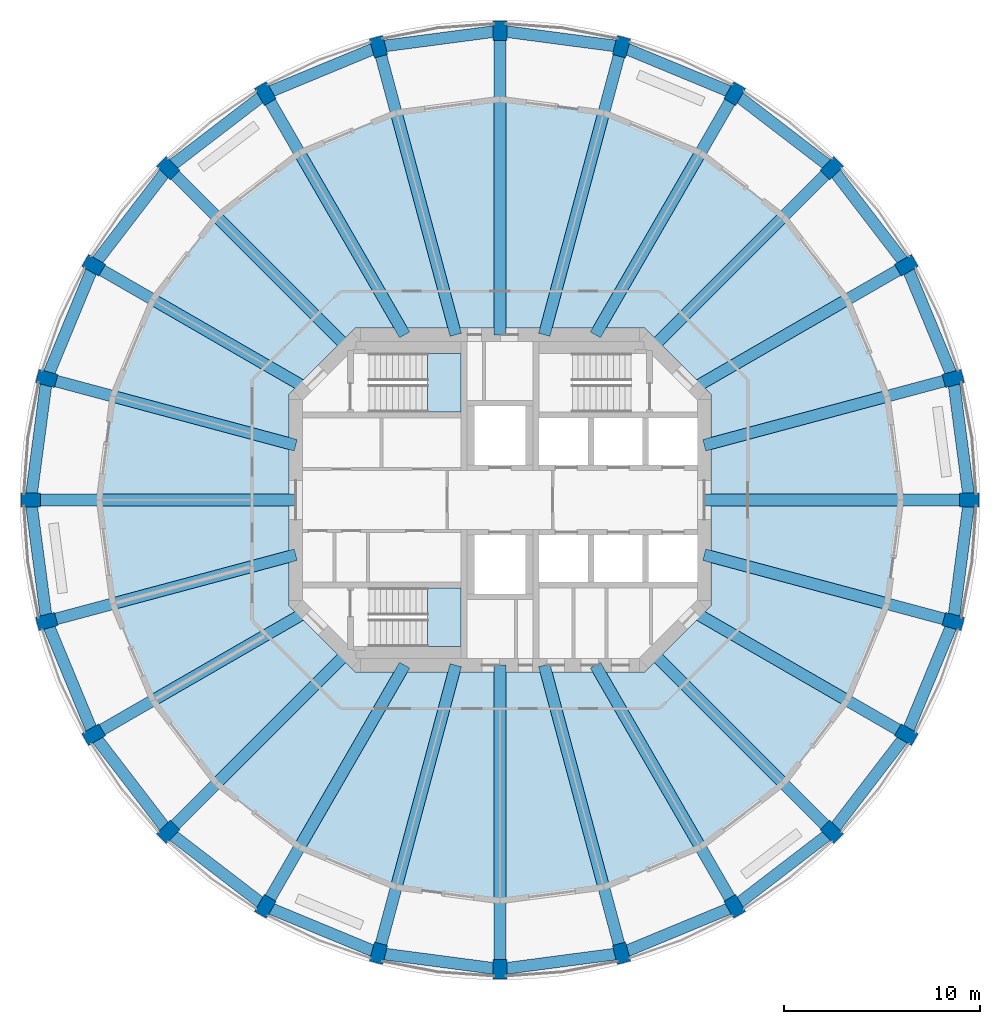
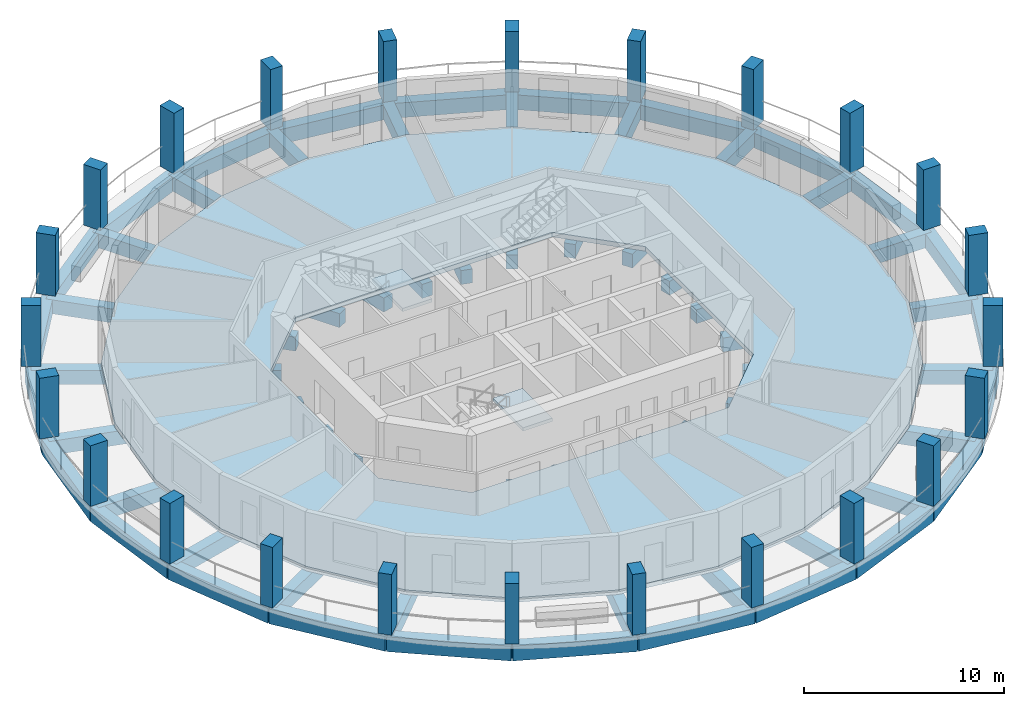
# One storey, part 1 of 9: 48 beams, 24 columns, 3 slabs, 2 elements without a shape of their own.
"""IFC4 building model written with IfcOpenShell, lengths in metres."""

import ifcopenshell
import ifcopenshell.guid

model = None  # the IFC model being written
_history = None  # IfcOwnerHistory: only IFC2X3 demands one
_inside = {}  # id of a spatial element -> (the spatial element, [elements in it])
_under = {}  # id of a project, library or spatial element -> (it, [spatial elements below it])
_declared = {}  # id of a project -> (the project, [libraries it declares])
_typed = {}  # id of a type object -> (the type object, [elements of that type])
_made_of = {}  # id of a material, layer set ... -> (it, [elements and type objects made of it])


def new_model(schema):
    """Start an empty IFC model of exactly this schema.

    Asked for "IFC4X3", IfcOpenShell would pick the latest addendum, in which some entities
    have other attributes; the version numbers below select the first issue.
    IFC2X3 requires an IfcOwnerHistory on every rooted entity: one is made here for all.
    """
    global model, _history
    if schema == "IFC4X3":
        model = ifcopenshell.file(schema_version=(4, 3, 0, 0))
    else:
        model = ifcopenshell.file(schema=schema)
    _inside.clear()
    _under.clear()
    _declared.clear()
    _typed.clear()
    _made_of.clear()
    _history = None
    if model.schema == "IFC2X3":
        org = make("IfcOrganization", Name="unknown")
        user = make(
            "IfcPersonAndOrganization",
            ThePerson=make("IfcPerson", FamilyName="unknown"),
            TheOrganization=org,
        )
        app = make(
            "IfcApplication",
            ApplicationDeveloper=org,
            Version="unknown",
            ApplicationFullName="unknown",
            ApplicationIdentifier="unknown",
        )
        _history = make(
            "IfcOwnerHistory",
            OwningUser=user,
            OwningApplication=app,
            ChangeAction="ADDED",
            CreationDate=0,
        )
    return model


def make(cls, **values):
    """One entity of the class cls with the attributes given. An attribute that is None is left unset."""
    return model.create_entity(
        cls, **{name: value for name, value in values.items() if value is not None}
    )


def rooted(cls, **values):
    """An entity with a GlobalId (a new one), such as an element, a storey or a relation."""
    return make(cls, GlobalId=ifcopenshell.guid.new(), OwnerHistory=_history, **values)


def si_unit(unit_type, name, prefix=None):
    """IfcSIUnit, for example si_unit("LENGTHUNIT", "METRE", prefix="MILLI")."""
    return make("IfcSIUnit", UnitType=unit_type, Prefix=prefix, Name=name)


def assignment(units):
    """IfcUnitAssignment: the units of a project."""
    return None if units is None else make("IfcUnitAssignment", Units=units)


def point(xyz):
    """IfcCartesianPoint."""
    return None if xyz is None else make("IfcCartesianPoint", Coordinates=xyz)


def direction(xyz):
    """IfcDirection."""
    return None if xyz is None else make("IfcDirection", DirectionRatios=xyz)


def frame(location, z_axis=None, x_axis=None):
    """IfcAxis2Placement3D, a coordinate frame: its origin and axes. An axis left out is left unset."""
    return make(
        "IfcAxis2Placement3D",
        Location=point(location),
        Axis=direction(z_axis),
        RefDirection=direction(x_axis),
    )


def frame_2d(location, x_axis=None):
    """IfcAxis2Placement2D, a coordinate frame in the plane: its origin and x axis."""
    return make(
        "IfcAxis2Placement2D", Location=point(location), RefDirection=direction(x_axis)
    )


def origin():
    """The frame at (0, 0, 0) with its axes left unset."""
    return frame((0.0, 0.0, 0.0))


def origin_2d():
    """The frame at (0, 0) in the plane with its x axis left unset."""
    return frame_2d((0.0, 0.0))


def place(relative_to, where):
    """IfcLocalPlacement: puts the frame where relative to a parent placement (None: the world)."""
    return make(
        "IfcLocalPlacement", PlacementRelTo=relative_to, RelativePlacement=where
    )


def context(
    kind, dimensions, precision=None, world=None, true_north=None, identifier=None
):
    """IfcGeometricRepresentationContext, for example the 3D "Model" context."""
    return make(
        "IfcGeometricRepresentationContext",
        ContextIdentifier=identifier,
        ContextType=kind,
        CoordinateSpaceDimension=dimensions,
        Precision=precision,
        WorldCoordinateSystem=world,
        TrueNorth=true_north,
    )


def subcontext(parent, identifier, kind, view, scale=None):
    """IfcGeometricRepresentationSubContext, for example "Body" below "Model"."""
    return make(
        "IfcGeometricRepresentationSubContext",
        ContextIdentifier=identifier,
        ContextType=kind,
        ParentContext=parent,
        TargetScale=scale,
        TargetView=view,
    )


def project(units=None, contexts=None):
    """IfcProject with its units and contexts."""
    return rooted(
        "IfcProject",
        Name="project",
        RepresentationContexts=contexts,
        UnitsInContext=assignment(units),
    )


def spatial(cls, under=None, at=None, **own):
    """A site, building, storey or space (cls), placed at a placement, below another one or the project."""
    s = rooted(cls, ObjectPlacement=at, **own)
    if under is not None:
        _under.setdefault(under.id(), (under, []))[1].append(s)
    return s


def polyline(points):
    """IfcPolyline through the points."""
    return make("IfcPolyline", Points=[point(p) for p in points])


def profile(cls, at=None, kind="AREA", **sizes):
    """A parametric profile (cls). Its sizes go by their IFC names, for example OverallWidth=200.0."""
    return make(cls, ProfileType=kind, Position=at, **sizes)


def rectangle(**sizes):
    """IfcRectangleProfileDef."""
    return profile("IfcRectangleProfileDef", **sizes)


def outline(outer, holes=None, kind="AREA"):
    """IfcArbitraryClosedProfileDef: a profile drawn as a closed curve; with holes, ...WithVoids."""
    if holes is None:
        return make("IfcArbitraryClosedProfileDef", ProfileType=kind, OuterCurve=outer)
    return make(
        "IfcArbitraryProfileDefWithVoids",
        ProfileType=kind,
        OuterCurve=outer,
        InnerCurves=holes,
    )


def extrude(swept, where, along, depth):
    """IfcExtrudedAreaSolid: the profile swept, set in the frame where, extruded along a direction by depth."""
    return make(
        "IfcExtrudedAreaSolid",
        SweptArea=swept,
        Position=where,
        ExtrudedDirection=direction(along),
        Depth=depth,
    )


def shape(context_of_items, identifier, shape_type, items):
    """IfcShapeRepresentation: the items that make up one representation, for example the "Body"."""
    return make(
        "IfcShapeRepresentation",
        ContextOfItems=context_of_items,
        RepresentationIdentifier=identifier,
        RepresentationType=shape_type,
        Items=items,
    )


def material(Name=None, Category=None):
    """IfcMaterial."""
    return make("IfcMaterial", Name=Name, Category=Category)


def layer(
    of_material, thickness, ventilated=None, Name=None, Category=None, Priority=None
):
    """IfcMaterialLayer: one layer of a wall or slab, of a material (None: an air gap)."""
    return make(
        "IfcMaterialLayer",
        Material=of_material,
        LayerThickness=thickness,
        IsVentilated=ventilated,
        Name=Name,
        Category=Category,
        Priority=Priority,
    )


def layer_set(layers, Name=None):
    """IfcMaterialLayerSet."""
    return make("IfcMaterialLayerSet", MaterialLayers=layers, LayerSetName=Name)


def material_profile(
    of_material, cross_section, Name=None, Category=None, Priority=None
):
    """IfcMaterialProfile: a cross section and its material."""
    return make(
        "IfcMaterialProfile",
        Name=Name,
        Material=of_material,
        Profile=cross_section,
        Priority=Priority,
        Category=Category,
    )


def profile_set(profiles, Name=None, composite=None):
    """IfcMaterialProfileSet."""
    return make(
        "IfcMaterialProfileSet",
        Name=Name,
        MaterialProfiles=profiles,
        CompositeProfile=composite,
    )


def made_of(thing, what):
    """Note that an element or type object is made of a material, layer set ...; save() writes the relation."""
    if what is not None:
        _made_of.setdefault(what.id(), (what, []))[1].append(thing)
    return thing


def type_object(cls, material=None, **own):
    """A type object (cls), such as IfcWallType, which elements share."""
    return made_of(rooted(cls, **own), material)


def element(
    cls,
    number,
    at=None,
    inside=None,
    cuts=None,
    type_object=None,
    material=None,
    context=None,
    identifier="Body",
    shape_type=None,
    held_by="IfcProductDefinitionShape",
    body=None,
    shapes=None,
    **own,
):
    """One element of the class cls, such as IfcWall. Its Tag is "e" and its number.

    at: its placement. inside: the storey or other place that contains it. cuts: it is an
    opening in that element (IfcRelVoidsElement). A single representation is given by context,
    identifier, shape_type and body (its items); several are given by shapes. held_by: the class
    of the entity that holds the representations. save() writes the other relations.
    """
    e = rooted(cls, Tag="e%d" % number, ObjectPlacement=at, **own)
    if body is not None:
        shapes = [shape(context, identifier, shape_type, body)]
    if shapes is not None:
        e.Representation = make(held_by, Representations=shapes)
    if inside is not None:
        _inside.setdefault(inside.id(), (inside, []))[1].append(e)
    if cuts is not None:
        rooted(
            "IfcRelVoidsElement", RelatingBuildingElement=cuts, RelatedOpeningElement=e
        )
    if type_object is not None:
        _typed.setdefault(type_object.id(), (type_object, []))[1].append(e)
    return made_of(e, material)


def aggregate(whole, parts):
    """IfcRelAggregates: a whole, such as a stair, and the parts it consists of."""
    return rooted("IfcRelAggregates", RelatingObject=whole, RelatedObjects=parts)


def save(model, path):
    """Write the relations noted so far, then the file.

    IfcRelAggregates (storeys below a building ...), IfcRelContainedInSpatialStructure (elements
    in a storey), IfcRelDefinesByType, IfcRelAssociatesMaterial and IfcRelDeclares: one each for
    every whole, place, type object, material and project.
    """
    for whole, parts in _under.values():
        aggregate(whole, parts)
    for where, things in _inside.values():
        rooted(
            "IfcRelContainedInSpatialStructure",
            RelatedElements=things,
            RelatingStructure=where,
        )
    for kind, things in _typed.values():
        rooted("IfcRelDefinesByType", RelatedObjects=things, RelatingType=kind)
    for what, things in _made_of.values():
        rooted("IfcRelAssociatesMaterial", RelatedObjects=things, RelatingMaterial=what)
    for by, libraries in _declared.values():
        rooted("IfcRelDeclares", RelatingContext=by, RelatedDefinitions=libraries)
    model.write(path)


model = new_model("IFC4")

# Units and contexts
model_context = context("Model", 3, precision=1e-05, world=origin(), true_north=direction((0.0, 1.0)))
body_context = subcontext(model_context, "Body", "Model", "MODEL_VIEW")
ifc_project = project(units=[si_unit("LENGTHUNIT", "METRE"), si_unit("AREAUNIT", "SQUARE_METRE"), si_unit("VOLUMEUNIT", "CUBIC_METRE"), si_unit("PLANEANGLEUNIT", "RADIAN"), si_unit("MASSUNIT", "GRAM", prefix="KILO")], contexts=[model_context])

# Site, building, storey
site_placement = place(None, origin())
site = spatial("IfcSite", under=ifc_project, at=site_placement, CompositionType="ELEMENT")
building_placement = place(site_placement, origin())
building = spatial("IfcBuilding", under=site, at=building_placement, Name="Torre Triforio", CompositionType="ELEMENT")
storey_placement = place(building_placement, frame((0.0, 0.0, 240.89990234375)))
storey = spatial("IfcBuildingStorey", under=building, at=storey_placement, Name="L55", CompositionType="ELEMENT", Elevation=240.89990234375)

# Columns
ifc_material_1 = material(Name="Concrete C50", Category="concrete")
ifc_material_profile_1 = material_profile(ifc_material_1, rectangle(XDim=0.699951171875, YDim=1.0, at=origin_2d()), Name="RC 700x1000")
ifc_profile_set_1 = profile_set([ifc_material_profile_1], Name="Concrete C50")
column_type = type_object("IfcColumnType", Name="Pier RC 700x1000 C50", PredefinedType="COLUMN", material=ifc_profile_set_1)
for number, where, z_axis, x_axis, name in (
    (1, (24.0, 0.0, 0.0), (0.0, 0.0, 1.0), (0.0, 1.0, 0.0), "COL.R.L55.00"),
    (2, (23.18212890625, 6.211669921875, 0.0), (0.0, 0.0, 1.0), (-0.258819045103, 0.965925826289, 0.0), "COL.R.L55.01"),
    (3, (20.78466796875, 12.0, 0.0), (0.0, 0.0, 1.0), (-0.5, 0.866025403784, 0.0), "COL.R.L55.02"),
    (4, (16.970458984375, 16.970458984375, 0.0), (0.0, 0.0, 1.0), (-0.707106781187, 0.707106781187, 0.0), "COL.R.L55.03"),
    (5, (12.0, 20.78466796875, 0.0), (0.0, 0.0, 1.0), (-0.866025403784, 0.5, 0.0), "COL.R.L55.04"),
    (6, (6.211669921875, 23.18212890625, 0.0), (0.0, 0.0, 1.0), (-0.965925826289, 0.258819045103, 0.0), "COL.R.L55.05"),
    (7, (0.0, 24.0, 0.0), (0.0, 0.0, 1.0), (-1.0, 0.0, 0.0), "COL.R.L55.06"),
    (8, (-6.211669921875, 23.18212890625, 0.0), (0.0, 0.0, 1.0), (-0.965925826289, -0.258819045103, 0.0), "COL.R.L55.07"),
    (9, (-12.0, 20.78466796875, 0.0), (0.0, 0.0, 1.0), (-0.866025403784, -0.5, 0.0), "COL.R.L55.08"),
    (10, (-16.970458984375, 16.970458984375, 0.0), (0.0, 0.0, 1.0), (-0.707106781187, -0.707106781187, 0.0), "COL.R.L55.09"),
    (11, (-20.78466796875, 12.0, 0.0), (0.0, 0.0, 1.0), (-0.5, -0.866025403784, 0.0), "COL.R.L55.10"),
    (12, (-23.18212890625, 6.211669921875, 0.0), (0.0, 0.0, 1.0), (-0.258819045103, -0.965925826289, 0.0), "COL.R.L55.11"),
    (13, (-24.0, 0.0, 0.0), (0.0, 0.0, 1.0), (0.0, -1.0, 0.0), "COL.R.L55.12"),
    (14, (-23.18212890625, -6.211669921875, 0.0), (0.0, 0.0, 1.0), (0.258819045103, -0.965925826289, 0.0), "COL.R.L55.13"),
    (15, (-20.78466796875, -12.0, 0.0), (0.0, 0.0, 1.0), (0.5, -0.866025403784, 0.0), "COL.R.L55.14"),
    (16, (-16.970458984375, -16.970458984375, 0.0), (0.0, 0.0, 1.0), (0.707106781187, -0.707106781187, 0.0), "COL.R.L55.15"),
    (17, (-12.0, -20.78466796875, 0.0), (0.0, 0.0, 1.0), (0.866025403784, -0.5, 0.0), "COL.R.L55.16"),
    (18, (-6.211669921875, -23.18212890625, 0.0), (0.0, 0.0, 1.0), (0.965925826289, -0.258819045103, 0.0), "COL.R.L55.17"),
    (19, (0.0, -24.0, 0.0), (0.0, 0.0, 1.0), (1.0, 0.0, 0.0), "COL.R.L55.18"),
    (20, (6.211669921875, -23.18212890625, 0.0), (0.0, 0.0, 1.0), (0.965925826289, 0.258819045103, 0.0), "COL.R.L55.19"),
    (21, (12.0, -20.78466796875, 0.0), (0.0, 0.0, 1.0), (0.866025403784, 0.5, 0.0), "COL.R.L55.20"),
    (22, (16.970458984375, -16.970458984375, 0.0), (0.0, 0.0, 1.0), (0.707106781187, 0.707106781187, 0.0), "COL.R.L55.21"),
    (23, (20.78466796875, -12.0, 0.0), (0.0, 0.0, 1.0), (0.5, 0.866025403784, 0.0), "COL.R.L55.22"),
    (24, (23.18212890625, -6.211669921875, 0.0), (0.0, 0.0, 1.0), (0.258819045103, 0.965925826289, 0.0), "COL.R.L55.23"),
):
    element("IfcColumn", number, at=place(storey_placement, frame(where, z_axis=z_axis, x_axis=x_axis)), inside=storey, type_object=column_type, Name=name, PredefinedType="COLUMN", context=body_context, shape_type="SweptSolid", body=[
        extrude(rectangle(XDim=0.699951171875, YDim=1.0, at=origin_2d()), origin(), (0.0, 0.0, 1.0), 3.7001953125),
    ])

# Beams
ifc_material_2 = material(Name="Concrete C40", Category="concrete")
ifc_material_profile_2 = material_profile(ifc_material_2, rectangle(XDim=0.60009765625, YDim=0.85009765625, at=origin_2d()), Name="RC 600x850")
ifc_profile_set_2 = profile_set([ifc_material_profile_2], Name="Concrete C40")
beam_type_1 = type_object("IfcBeamType", Name="Radial beam RC 600x850 C40", PredefinedType="BEAM", material=ifc_profile_set_2)
beam_1_placement = place(storey_placement, frame((10.449951171875, 0.0, -0.704833984375), z_axis=(1.0, 0.0, 0.0), x_axis=(0.0, 1.0, 0.0)))
element("IfcBeam", 25, at=beam_1_placement, inside=storey, type_object=beam_type_1, Name="BM.R.L55.00", PredefinedType="BEAM", context=body_context, shape_type="SweptSolid", body=[
    extrude(rectangle(XDim=0.60009765625, YDim=0.85009765625, at=origin_2d()), origin(), (0.0, 0.0, 1.0), 13.550048828125),
])
beam_2_placement = place(storey_placement, frame((10.449951171875, 2.800048828125, -0.704833984375), z_axis=(0.965924985096, 0.258822184459, 0.0), x_axis=(-0.258822184459, 0.965924985096, 0.0)))
element("IfcBeam", 26, at=beam_2_placement, inside=storey, type_object=beam_type_1, Name="BM.R.L55.01", PredefinedType="BEAM", context=body_context, shape_type="SweptSolid", body=[
    extrude(rectangle(XDim=0.60009765625, YDim=0.85009765625, at=origin_2d()), origin(), (0.0, 0.0, 1.0), 13.181396484375),
])
beam_3_placement = place(storey_placement, frame((9.9501953125, 5.744873046875, -0.704833984375), z_axis=(0.866030898433, 0.499990482869, 0.0), x_axis=(-0.499990482869, 0.866030898433, 0.0)))
element("IfcBeam", 27, at=beam_3_placement, inside=storey, type_object=beam_type_1, Name="BM.R.L55.02", PredefinedType="BEAM", context=body_context, shape_type="SweptSolid", body=[
    extrude(rectangle(XDim=0.60009765625, YDim=0.85009765625, at=origin_2d()), origin(), (0.0, 0.0, 1.0), 12.510498046875),
])
beam_4_placement = place(storey_placement, frame((7.847412109375, 7.847412109375, -0.704833984375), z_axis=(0.707106781187, 0.707106781187, 0.0), x_axis=(-0.707106781187, 0.707106781187, 0.0)))
element("IfcBeam", 28, at=beam_4_placement, inside=storey, type_object=beam_type_1, Name="BM.R.L55.03", PredefinedType="BEAM", context=body_context, shape_type="SweptSolid", body=[
    extrude(rectangle(XDim=0.60009765625, YDim=0.85009765625, at=origin_2d()), origin(), (0.0, 0.0, 1.0), 12.90185546875),
])
beam_5_placement = place(storey_placement, frame((4.878662109375, 8.449951171875, -0.704833984375), z_axis=(0.499993987895, 0.866028874847, 0.0), x_axis=(-0.866028874847, 0.499993987895, 0.0)))
element("IfcBeam", 29, at=beam_5_placement, inside=storey, type_object=beam_type_1, Name="BM.R.L55.04", PredefinedType="BEAM", context=body_context, shape_type="SweptSolid", body=[
    extrude(rectangle(XDim=0.60009765625, YDim=0.85009765625, at=origin_2d()), origin(), (0.0, 0.0, 1.0), 14.242919921875),
])
beam_6_placement = place(storey_placement, frame((2.26416015625, 8.449951171875, -0.704833984375), z_axis=(0.258821164091, 0.965925258505, 0.0), x_axis=(-0.965925258505, 0.258821164091, 0.0)))
element("IfcBeam", 30, at=beam_6_placement, inside=storey, type_object=beam_type_1, Name="BM.R.L55.05", PredefinedType="BEAM", context=body_context, shape_type="SweptSolid", body=[
    extrude(rectangle(XDim=0.60009765625, YDim=0.85009765625, at=origin_2d()), origin(), (0.0, 0.0, 1.0), 15.251953125),
])
beam_7_placement = place(storey_placement, frame((0.0, 8.449951171875, -0.704833984375), z_axis=(0.0, 1.0, 0.0), x_axis=(-1.0, 0.0, 0.0)))
element("IfcBeam", 31, at=beam_7_placement, inside=storey, type_object=beam_type_1, Name="BM.R.L55.06", PredefinedType="BEAM", context=body_context, shape_type="SweptSolid", body=[
    extrude(rectangle(XDim=0.60009765625, YDim=0.85009765625, at=origin_2d()), origin(), (0.0, 0.0, 1.0), 15.550048828125),
])
beam_8_placement = place(storey_placement, frame((-2.26416015625, 8.449951171875, -0.704833984375), z_axis=(-0.258821164091, 0.965925258505, 0.0), x_axis=(-0.965925258505, -0.258821164091, 0.0)))
element("IfcBeam", 32, at=beam_8_placement, inside=storey, type_object=beam_type_1, Name="BM.R.L55.07", PredefinedType="BEAM", context=body_context, shape_type="SweptSolid", body=[
    extrude(rectangle(XDim=0.60009765625, YDim=0.85009765625, at=origin_2d()), origin(), (0.0, 0.0, 1.0), 15.251953125),
])
beam_9_placement = place(storey_placement, frame((-4.878662109375, 8.449951171875, -0.704833984375), z_axis=(-0.499993987895, 0.866028874847, 0.0), x_axis=(-0.866028874847, -0.499993987895, 0.0)))
element("IfcBeam", 33, at=beam_9_placement, inside=storey, type_object=beam_type_1, Name="BM.R.L55.08", PredefinedType="BEAM", context=body_context, shape_type="SweptSolid", body=[
    extrude(rectangle(XDim=0.60009765625, YDim=0.85009765625, at=origin_2d()), origin(), (0.0, 0.0, 1.0), 14.242919921875),
])
beam_10_placement = place(storey_placement, frame((-7.847412109375, 7.847412109375, -0.704833984375), z_axis=(-0.707106781187, 0.707106781187, 0.0), x_axis=(-0.707106781187, -0.707106781187, 0.0)))
element("IfcBeam", 34, at=beam_10_placement, inside=storey, type_object=beam_type_1, Name="BM.R.L55.09", PredefinedType="BEAM", context=body_context, shape_type="SweptSolid", body=[
    extrude(rectangle(XDim=0.60009765625, YDim=0.85009765625, at=origin_2d()), origin(), (0.0, 0.0, 1.0), 12.90185546875),
])
beam_11_placement = place(storey_placement, frame((-9.9501953125, 5.744873046875, -0.704833984375), z_axis=(-0.866030898433, 0.499990482869, 0.0), x_axis=(-0.499990482869, -0.866030898433, 0.0)))
element("IfcBeam", 35, at=beam_11_placement, inside=storey, type_object=beam_type_1, Name="BM.R.L55.10", PredefinedType="BEAM", context=body_context, shape_type="SweptSolid", body=[
    extrude(rectangle(XDim=0.60009765625, YDim=0.85009765625, at=origin_2d()), origin(), (0.0, 0.0, 1.0), 12.510498046875),
])
beam_12_placement = place(storey_placement, frame((-10.449951171875, 2.800048828125, -0.704833984375), z_axis=(-0.965924985096, 0.258822184459, 0.0), x_axis=(-0.258822184459, -0.965924985096, 0.0)))
element("IfcBeam", 36, at=beam_12_placement, inside=storey, type_object=beam_type_1, Name="BM.R.L55.11", PredefinedType="BEAM", context=body_context, shape_type="SweptSolid", body=[
    extrude(rectangle(XDim=0.60009765625, YDim=0.85009765625, at=origin_2d()), origin(), (0.0, 0.0, 1.0), 13.181396484375),
])
beam_13_placement = place(storey_placement, frame((-10.449951171875, 0.0, -0.704833984375), z_axis=(-1.0, 0.0, 0.0), x_axis=(0.0, -1.0, 0.0)))
element("IfcBeam", 37, at=beam_13_placement, inside=storey, type_object=beam_type_1, Name="BM.R.L55.12", PredefinedType="BEAM", context=body_context, shape_type="SweptSolid", body=[
    extrude(rectangle(XDim=0.60009765625, YDim=0.85009765625, at=origin_2d()), origin(), (0.0, 0.0, 1.0), 13.550048828125),
])
beam_14_placement = place(storey_placement, frame((-10.449951171875, -2.800048828125, -0.704833984375), z_axis=(-0.965924985096, -0.258822184459, 0.0), x_axis=(0.258822184459, -0.965924985096, 0.0)))
element("IfcBeam", 38, at=beam_14_placement, inside=storey, type_object=beam_type_1, Name="BM.R.L55.13", PredefinedType="BEAM", context=body_context, shape_type="SweptSolid", body=[
    extrude(rectangle(XDim=0.60009765625, YDim=0.85009765625, at=origin_2d()), origin(), (0.0, 0.0, 1.0), 13.181396484375),
])
beam_15_placement = place(storey_placement, frame((-9.9501953125, -5.744873046875, -0.704833984375), z_axis=(-0.866030898433, -0.499990482869, 0.0), x_axis=(0.499990482869, -0.866030898433, 0.0)))
element("IfcBeam", 39, at=beam_15_placement, inside=storey, type_object=beam_type_1, Name="BM.R.L55.14", PredefinedType="BEAM", context=body_context, shape_type="SweptSolid", body=[
    extrude(rectangle(XDim=0.60009765625, YDim=0.85009765625, at=origin_2d()), origin(), (0.0, 0.0, 1.0), 12.510498046875),
])
beam_16_placement = place(storey_placement, frame((-7.847412109375, -7.847412109375, -0.704833984375), z_axis=(-0.707106781187, -0.707106781187, 0.0), x_axis=(0.707106781187, -0.707106781187, 0.0)))
element("IfcBeam", 40, at=beam_16_placement, inside=storey, type_object=beam_type_1, Name="BM.R.L55.15", PredefinedType="BEAM", context=body_context, shape_type="SweptSolid", body=[
    extrude(rectangle(XDim=0.60009765625, YDim=0.85009765625, at=origin_2d()), origin(), (0.0, 0.0, 1.0), 12.90185546875),
])
beam_17_placement = place(storey_placement, frame((-4.878662109375, -8.449951171875, -0.704833984375), z_axis=(-0.499993987895, -0.866028874847, 0.0), x_axis=(0.866028874847, -0.499993987895, 0.0)))
element("IfcBeam", 41, at=beam_17_placement, inside=storey, type_object=beam_type_1, Name="BM.R.L55.16", PredefinedType="BEAM", context=body_context, shape_type="SweptSolid", body=[
    extrude(rectangle(XDim=0.60009765625, YDim=0.85009765625, at=origin_2d()), origin(), (0.0, 0.0, 1.0), 14.242919921875),
])
beam_18_placement = place(storey_placement, frame((-2.26416015625, -8.449951171875, -0.704833984375), z_axis=(-0.258821164091, -0.965925258505, 0.0), x_axis=(0.965925258505, -0.258821164091, 0.0)))
element("IfcBeam", 42, at=beam_18_placement, inside=storey, type_object=beam_type_1, Name="BM.R.L55.17", PredefinedType="BEAM", context=body_context, shape_type="SweptSolid", body=[
    extrude(rectangle(XDim=0.60009765625, YDim=0.85009765625, at=origin_2d()), origin(), (0.0, 0.0, 1.0), 15.251953125),
])
beam_19_placement = place(storey_placement, frame((0.0, -8.449951171875, -0.704833984375), z_axis=(0.0, -1.0, 0.0), x_axis=(1.0, 0.0, 0.0)))
element("IfcBeam", 43, at=beam_19_placement, inside=storey, type_object=beam_type_1, Name="BM.R.L55.18", PredefinedType="BEAM", context=body_context, shape_type="SweptSolid", body=[
    extrude(rectangle(XDim=0.60009765625, YDim=0.85009765625, at=origin_2d()), origin(), (0.0, 0.0, 1.0), 15.550048828125),
])
beam_20_placement = place(storey_placement, frame((2.26416015625, -8.449951171875, -0.704833984375), z_axis=(0.258821164091, -0.965925258505, 0.0), x_axis=(0.965925258505, 0.258821164091, 0.0)))
element("IfcBeam", 44, at=beam_20_placement, inside=storey, type_object=beam_type_1, Name="BM.R.L55.19", PredefinedType="BEAM", context=body_context, shape_type="SweptSolid", body=[
    extrude(rectangle(XDim=0.60009765625, YDim=0.85009765625, at=origin_2d()), origin(), (0.0, 0.0, 1.0), 15.251953125),
])
beam_21_placement = place(storey_placement, frame((4.878662109375, -8.449951171875, -0.704833984375), z_axis=(0.499993987895, -0.866028874847, 0.0), x_axis=(0.866028874847, 0.499993987895, 0.0)))
element("IfcBeam", 45, at=beam_21_placement, inside=storey, type_object=beam_type_1, Name="BM.R.L55.20", PredefinedType="BEAM", context=body_context, shape_type="SweptSolid", body=[
    extrude(rectangle(XDim=0.60009765625, YDim=0.85009765625, at=origin_2d()), origin(), (0.0, 0.0, 1.0), 14.242919921875),
])
beam_22_placement = place(storey_placement, frame((7.847412109375, -7.847412109375, -0.704833984375), z_axis=(0.707106781187, -0.707106781187, 0.0), x_axis=(0.707106781187, 0.707106781187, 0.0)))
element("IfcBeam", 46, at=beam_22_placement, inside=storey, type_object=beam_type_1, Name="BM.R.L55.21", PredefinedType="BEAM", context=body_context, shape_type="SweptSolid", body=[
    extrude(rectangle(XDim=0.60009765625, YDim=0.85009765625, at=origin_2d()), origin(), (0.0, 0.0, 1.0), 12.90185546875),
])
beam_23_placement = place(storey_placement, frame((9.9501953125, -5.744873046875, -0.704833984375), z_axis=(0.866030898433, -0.499990482869, 0.0), x_axis=(0.499990482869, 0.866030898433, 0.0)))
element("IfcBeam", 47, at=beam_23_placement, inside=storey, type_object=beam_type_1, Name="BM.R.L55.22", PredefinedType="BEAM", context=body_context, shape_type="SweptSolid", body=[
    extrude(rectangle(XDim=0.60009765625, YDim=0.85009765625, at=origin_2d()), origin(), (0.0, 0.0, 1.0), 12.510498046875),
])
beam_24_placement = place(storey_placement, frame((10.449951171875, -2.800048828125, -0.704833984375), z_axis=(0.965924985096, -0.258822184459, 0.0), x_axis=(0.258822184459, 0.965924985096, 0.0)))
element("IfcBeam", 48, at=beam_24_placement, inside=storey, type_object=beam_type_1, Name="BM.R.L55.23", PredefinedType="BEAM", context=body_context, shape_type="SweptSolid", body=[
    extrude(rectangle(XDim=0.60009765625, YDim=0.85009765625, at=origin_2d()), origin(), (0.0, 0.0, 1.0), 13.181396484375),
])
ifc_material_profile_3 = material_profile(ifc_material_2, rectangle(XDim=0.60009765625, YDim=0.89990234375, at=origin_2d()), Name="RC 600x900")
ifc_profile_set_3 = profile_set([ifc_material_profile_3], Name="Concrete C40")
beam_type_2 = type_object("IfcBeamType", Name="Spandrel beam RC 600x900 C40", PredefinedType="SPANDREL", material=ifc_profile_set_3)
beam_25_placement = place(storey_placement, frame((24.0, 0.0, -0.72998046875), z_axis=(-0.130540192224, 0.991443018138, 0.0), x_axis=(-0.991443018138, -0.130540192224, 0.0)))
element("IfcBeam", 49, at=beam_25_placement, inside=storey, type_object=beam_type_2, Name="BM.S.L55.00", PredefinedType="SPANDREL", context=body_context, shape_type="SweptSolid", body=[
    extrude(rectangle(XDim=0.60009765625, YDim=0.89990234375, at=origin_2d()), origin(), (0.0, 0.0, 1.0), 6.265380859375),
])
beam_26_placement = place(storey_placement, frame((23.18212890625, 6.211669921875, -0.72998046875), z_axis=(-0.382663829839, 0.9238876519, 0.0), x_axis=(-0.9238876519, -0.382663829839, 0.0)))
element("IfcBeam", 50, at=beam_26_placement, inside=storey, type_object=beam_type_2, Name="BM.S.L55.01", PredefinedType="SPANDREL", context=body_context, shape_type="SweptSolid", body=[
    extrude(rectangle(XDim=0.60009765625, YDim=0.89990234375, at=origin_2d()), origin(), (0.0, 0.0, 1.0), 6.26513671875),
])
for number, where, z_axis, x_axis, name in (
    (51, (20.78466796875, 12.0, -0.72998046875), (-0.608785706196, 0.79333471116, 0.0), (-0.79333471116, -0.608785706196, 0.0), "BM.S.L55.02"),
    (52, (16.970458984375, 16.970458984375, -0.72998046875), (-0.79333471116, 0.608785706196, 0.0), (-0.608785706196, -0.79333471116, 0.0), "BM.S.L55.03"),
):
    element("IfcBeam", number, at=place(storey_placement, frame(where, z_axis=z_axis, x_axis=x_axis)), inside=storey, type_object=beam_type_2, Name=name, PredefinedType="SPANDREL", context=body_context, shape_type="SweptSolid", body=[
        extrude(rectangle(XDim=0.60009765625, YDim=0.89990234375, at=origin_2d()), origin(), (0.0, 0.0, 1.0), 6.265380859375),
    ])
beam_27_placement = place(storey_placement, frame((12.0, 20.78466796875, -0.72998046875), z_axis=(-0.9238876519, 0.382663829839, 0.0), x_axis=(-0.382663829839, -0.9238876519, 0.0)))
element("IfcBeam", 53, at=beam_27_placement, inside=storey, type_object=beam_type_2, Name="BM.S.L55.04", PredefinedType="SPANDREL", context=body_context, shape_type="SweptSolid", body=[
    extrude(rectangle(XDim=0.60009765625, YDim=0.89990234375, at=origin_2d()), origin(), (0.0, 0.0, 1.0), 6.26513671875),
])
for number, where, z_axis, x_axis, name in (
    (54, (6.211669921875, 23.18212890625, -0.72998046875), (-0.991443018138, 0.130540192224, 0.0), (-0.130540192224, -0.991443018138, 0.0), "BM.S.L55.05"),
    (55, (0.0, 24.0, -0.72998046875), (-0.991443018138, -0.130540192224, 0.0), (0.130540192224, -0.991443018138, 0.0), "BM.S.L55.06"),
):
    element("IfcBeam", number, at=place(storey_placement, frame(where, z_axis=z_axis, x_axis=x_axis)), inside=storey, type_object=beam_type_2, Name=name, PredefinedType="SPANDREL", context=body_context, shape_type="SweptSolid", body=[
        extrude(rectangle(XDim=0.60009765625, YDim=0.89990234375, at=origin_2d()), origin(), (0.0, 0.0, 1.0), 6.265380859375),
    ])
beam_28_placement = place(storey_placement, frame((-6.211669921875, 23.18212890625, -0.72998046875), z_axis=(-0.9238876519, -0.382663829839, 0.0), x_axis=(0.382663829839, -0.9238876519, 0.0)))
element("IfcBeam", 56, at=beam_28_placement, inside=storey, type_object=beam_type_2, Name="BM.S.L55.07", PredefinedType="SPANDREL", context=body_context, shape_type="SweptSolid", body=[
    extrude(rectangle(XDim=0.60009765625, YDim=0.89990234375, at=origin_2d()), origin(), (0.0, 0.0, 1.0), 6.26513671875),
])
for number, where, z_axis, x_axis, name in (
    (57, (-12.0, 20.78466796875, -0.72998046875), (-0.79333471116, -0.608785706196, 0.0), (0.608785706196, -0.79333471116, 0.0), "BM.S.L55.08"),
    (58, (-16.970458984375, 16.970458984375, -0.72998046875), (-0.608785706196, -0.79333471116, 0.0), (0.79333471116, -0.608785706196, 0.0), "BM.S.L55.09"),
):
    element("IfcBeam", number, at=place(storey_placement, frame(where, z_axis=z_axis, x_axis=x_axis)), inside=storey, type_object=beam_type_2, Name=name, PredefinedType="SPANDREL", context=body_context, shape_type="SweptSolid", body=[
        extrude(rectangle(XDim=0.60009765625, YDim=0.89990234375, at=origin_2d()), origin(), (0.0, 0.0, 1.0), 6.265380859375),
    ])
beam_29_placement = place(storey_placement, frame((-20.78466796875, 12.0, -0.72998046875), z_axis=(-0.382663829839, -0.9238876519, 0.0), x_axis=(0.9238876519, -0.382663829839, 0.0)))
element("IfcBeam", 59, at=beam_29_placement, inside=storey, type_object=beam_type_2, Name="BM.S.L55.10", PredefinedType="SPANDREL", context=body_context, shape_type="SweptSolid", body=[
    extrude(rectangle(XDim=0.60009765625, YDim=0.89990234375, at=origin_2d()), origin(), (0.0, 0.0, 1.0), 6.26513671875),
])
for number, where, z_axis, x_axis, name in (
    (60, (-23.18212890625, 6.211669921875, -0.72998046875), (-0.130540192224, -0.991443018138, 0.0), (0.991443018138, -0.130540192224, 0.0), "BM.S.L55.11"),
    (61, (-24.0, 0.0, -0.72998046875), (0.130540192224, -0.991443018138, 0.0), (0.991443018138, 0.130540192224, 0.0), "BM.S.L55.12"),
):
    element("IfcBeam", number, at=place(storey_placement, frame(where, z_axis=z_axis, x_axis=x_axis)), inside=storey, type_object=beam_type_2, Name=name, PredefinedType="SPANDREL", context=body_context, shape_type="SweptSolid", body=[
        extrude(rectangle(XDim=0.60009765625, YDim=0.89990234375, at=origin_2d()), origin(), (0.0, 0.0, 1.0), 6.265380859375),
    ])
beam_30_placement = place(storey_placement, frame((-23.18212890625, -6.211669921875, -0.72998046875), z_axis=(0.382663829839, -0.9238876519, 0.0), x_axis=(0.9238876519, 0.382663829839, 0.0)))
element("IfcBeam", 62, at=beam_30_placement, inside=storey, type_object=beam_type_2, Name="BM.S.L55.13", PredefinedType="SPANDREL", context=body_context, shape_type="SweptSolid", body=[
    extrude(rectangle(XDim=0.60009765625, YDim=0.89990234375, at=origin_2d()), origin(), (0.0, 0.0, 1.0), 6.26513671875),
])
for number, where, z_axis, x_axis, name in (
    (63, (-20.78466796875, -12.0, -0.72998046875), (0.608785706196, -0.79333471116, 0.0), (0.79333471116, 0.608785706196, 0.0), "BM.S.L55.14"),
    (64, (-16.970458984375, -16.970458984375, -0.72998046875), (0.79333471116, -0.608785706196, 0.0), (0.608785706196, 0.79333471116, 0.0), "BM.S.L55.15"),
):
    element("IfcBeam", number, at=place(storey_placement, frame(where, z_axis=z_axis, x_axis=x_axis)), inside=storey, type_object=beam_type_2, Name=name, PredefinedType="SPANDREL", context=body_context, shape_type="SweptSolid", body=[
        extrude(rectangle(XDim=0.60009765625, YDim=0.89990234375, at=origin_2d()), origin(), (0.0, 0.0, 1.0), 6.265380859375),
    ])
beam_31_placement = place(storey_placement, frame((-12.0, -20.78466796875, -0.72998046875), z_axis=(0.9238876519, -0.382663829839, 0.0), x_axis=(0.382663829839, 0.9238876519, 0.0)))
element("IfcBeam", 65, at=beam_31_placement, inside=storey, type_object=beam_type_2, Name="BM.S.L55.16", PredefinedType="SPANDREL", context=body_context, shape_type="SweptSolid", body=[
    extrude(rectangle(XDim=0.60009765625, YDim=0.89990234375, at=origin_2d()), origin(), (0.0, 0.0, 1.0), 6.26513671875),
])
for number, where, z_axis, x_axis, name in (
    (66, (-6.211669921875, -23.18212890625, -0.72998046875), (0.991443018138, -0.130540192224, 0.0), (0.130540192224, 0.991443018138, 0.0), "BM.S.L55.17"),
    (67, (0.0, -24.0, -0.72998046875), (0.991443018138, 0.130540192224, 0.0), (-0.130540192224, 0.991443018138, 0.0), "BM.S.L55.18"),
):
    element("IfcBeam", number, at=place(storey_placement, frame(where, z_axis=z_axis, x_axis=x_axis)), inside=storey, type_object=beam_type_2, Name=name, PredefinedType="SPANDREL", context=body_context, shape_type="SweptSolid", body=[
        extrude(rectangle(XDim=0.60009765625, YDim=0.89990234375, at=origin_2d()), origin(), (0.0, 0.0, 1.0), 6.265380859375),
    ])
beam_32_placement = place(storey_placement, frame((6.211669921875, -23.18212890625, -0.72998046875), z_axis=(0.9238876519, 0.382663829839, 0.0), x_axis=(-0.382663829839, 0.9238876519, 0.0)))
element("IfcBeam", 68, at=beam_32_placement, inside=storey, type_object=beam_type_2, Name="BM.S.L55.19", PredefinedType="SPANDREL", context=body_context, shape_type="SweptSolid", body=[
    extrude(rectangle(XDim=0.60009765625, YDim=0.89990234375, at=origin_2d()), origin(), (0.0, 0.0, 1.0), 6.26513671875),
])
for number, where, z_axis, x_axis, name in (
    (69, (12.0, -20.78466796875, -0.72998046875), (0.79333471116, 0.608785706196, 0.0), (-0.608785706196, 0.79333471116, 0.0), "BM.S.L55.20"),
    (70, (16.970458984375, -16.970458984375, -0.72998046875), (0.608785706196, 0.79333471116, 0.0), (-0.79333471116, 0.608785706196, 0.0), "BM.S.L55.21"),
):
    element("IfcBeam", number, at=place(storey_placement, frame(where, z_axis=z_axis, x_axis=x_axis)), inside=storey, type_object=beam_type_2, Name=name, PredefinedType="SPANDREL", context=body_context, shape_type="SweptSolid", body=[
        extrude(rectangle(XDim=0.60009765625, YDim=0.89990234375, at=origin_2d()), origin(), (0.0, 0.0, 1.0), 6.265380859375),
    ])
beam_33_placement = place(storey_placement, frame((20.78466796875, -12.0, -0.72998046875), z_axis=(0.382663829839, 0.9238876519, 0.0), x_axis=(-0.9238876519, 0.382663829839, 0.0)))
element("IfcBeam", 71, at=beam_33_placement, inside=storey, type_object=beam_type_2, Name="BM.S.L55.22", PredefinedType="SPANDREL", context=body_context, shape_type="SweptSolid", body=[
    extrude(rectangle(XDim=0.60009765625, YDim=0.89990234375, at=origin_2d()), origin(), (0.0, 0.0, 1.0), 6.26513671875),
])
beam_34_placement = place(storey_placement, frame((23.18212890625, -6.211669921875, -0.72998046875), z_axis=(0.130540192224, 0.991443018138, 0.0), x_axis=(-0.991443018138, 0.130540192224, 0.0)))
element("IfcBeam", 72, at=beam_34_placement, inside=storey, type_object=beam_type_2, Name="BM.S.L55.23", PredefinedType="SPANDREL", context=body_context, shape_type="SweptSolid", body=[
    extrude(rectangle(XDim=0.60009765625, YDim=0.89990234375, at=origin_2d()), origin(), (0.0, 0.0, 1.0), 6.265380859375),
])

# Slab
ifc_layer_1 = layer(ifc_material_2, 0.280029296875)
ifc_layer_set_1 = layer_set([ifc_layer_1], Name="Concrete C40")
slab_type_1 = type_object("IfcSlabType", Name="Floor slab 280 C40", PredefinedType="FLOOR", material=ifc_layer_set_1)
slab_1_placement = place(storey_placement, frame((0.0, 0.0, -0.27978515625)))
element("IfcSlab", 73, at=slab_1_placement, inside=storey, type_object=slab_type_1, Name="SL.L55", PredefinedType="FLOOR", context=body_context, shape_type="SweptSolid", body=[
    extrude(outline(polyline([(17.75341796875, -10.25), (19.801513671875, -5.305908203125), (20.5, 0.0), (19.801513671875, 5.305908203125), (17.75341796875, 10.25), (14.49560546875, 14.49560546875), (10.25, 17.75341796875), (5.305908203125, 19.801513671875), (0.0, 20.5), (-5.305908203125, 19.801513671875), (-10.25, 17.75341796875), (-14.49560546875, 14.49560546875), (-17.75341796875, 10.25), (-19.801513671875, 5.305908203125), (-20.5, 0.0), (-19.801513671875, -5.305908203125), (-17.75341796875, -10.25), (-14.49560546875, -14.49560546875), (-10.25, -17.75341796875), (-5.305908203125, -19.801513671875), (0.0, -20.5), (5.305908203125, -19.801513671875), (10.25, -17.75341796875), (14.49560546875, -14.49560546875), (17.75341796875, -10.25)]), holes=[polyline([(10.800048828125, 5.389892578125), (10.800048828125, -5.389892578125), (7.389892578125, -8.800048828125), (-7.389892578125, -8.800048828125), (-10.800048828125, -5.389892578125), (-10.800048828125, 5.389892578125), (-7.389892578125, 8.800048828125), (7.389892578125, 8.800048828125), (10.800048828125, 5.389892578125)])]), origin(), (0.0, 0.0, 1.0), 0.27978515625),
])

# Stair, slab
stair_type = type_object("IfcStairType", Name="STAIR HALF-TURN", PredefinedType="HALF_TURN_STAIR", material=ifc_material_2)
stair_1_placement = place(storey_placement, origin())
stair_1 = element("IfcStair", 74, at=stair_1_placement, inside=storey, type_object=stair_type, Name="Exit stair 1", PredefinedType="HALF_TURN_STAIR")
ifc_layer_2 = layer(ifc_material_2, 0.199951171875)
ifc_layer_set_2 = layer_set([ifc_layer_2], Name="Concrete C40")
slab_type_2 = type_object("IfcSlabType", Name="STAIR LANDING 200", PredefinedType="LANDING", material=ifc_layer_set_2)
slab_2_placement = place(storey_placement, frame((0.0, 0.0, 1.650146484375)))
slab_2 = element("IfcSlab", 75, at=slab_2_placement, type_object=slab_type_2, Name="ST1 landing 1", PredefinedType="LANDING", context=body_context, shape_type="SweptSolid", body=[
    extrude(outline(polyline([(-2.0, 4.5), (-2.0, 7.5), (-3.699951171875, 7.5), (-3.699951171875, 4.5), (-2.0, 4.5)])), origin(), (0.0, 0.0, 1.0), 0.199951171875),
])
aggregate(stair_1, [slab_2])

stair_2_placement = place(storey_placement, origin())
stair_2 = element("IfcStair", 76, at=stair_2_placement, inside=storey, type_object=stair_type, Name="Exit stair 3", PredefinedType="HALF_TURN_STAIR")
slab_3_placement = place(storey_placement, frame((0.0, 0.0, 1.650146484375)))
slab_3 = element("IfcSlab", 77, at=slab_3_placement, type_object=slab_type_2, Name="ST3 landing 1", PredefinedType="LANDING", context=body_context, shape_type="SweptSolid", body=[
    extrude(outline(polyline([(-2.0, -7.5), (-2.0, -4.5), (-3.699951171875, -4.5), (-3.699951171875, -7.5), (-2.0, -7.5)])), origin(), (0.0, 0.0, 1.0), 0.199951171875),
])
aggregate(stair_2, [slab_3])

save(model, "model.ifc")
